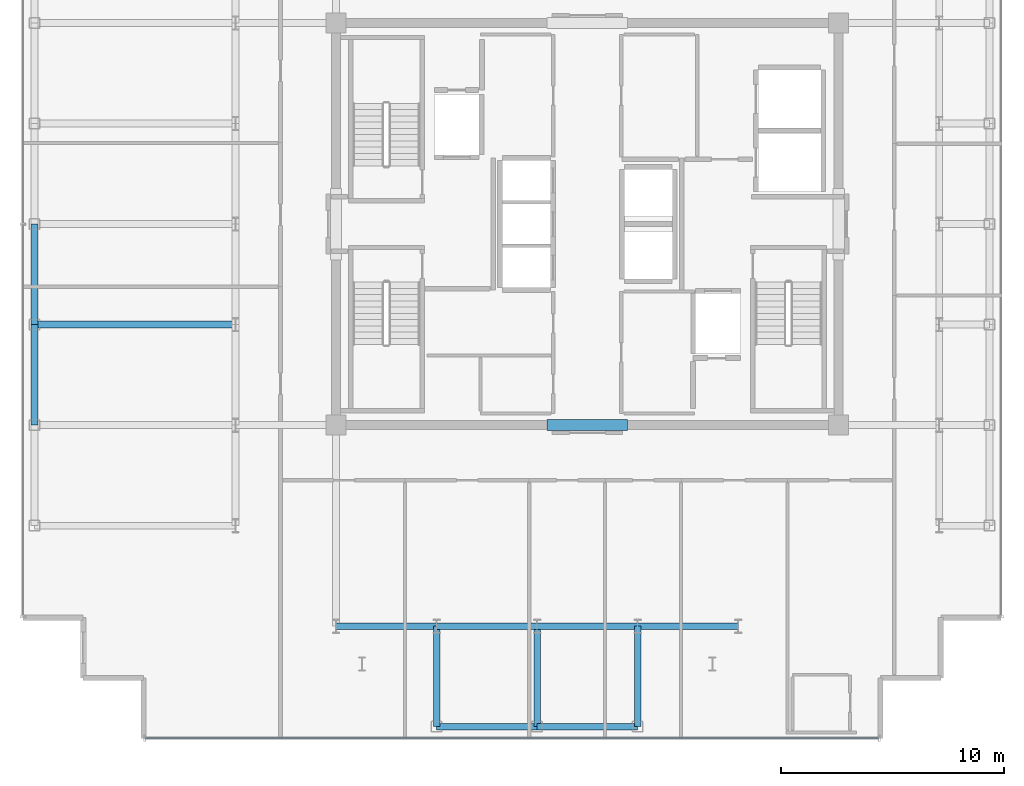
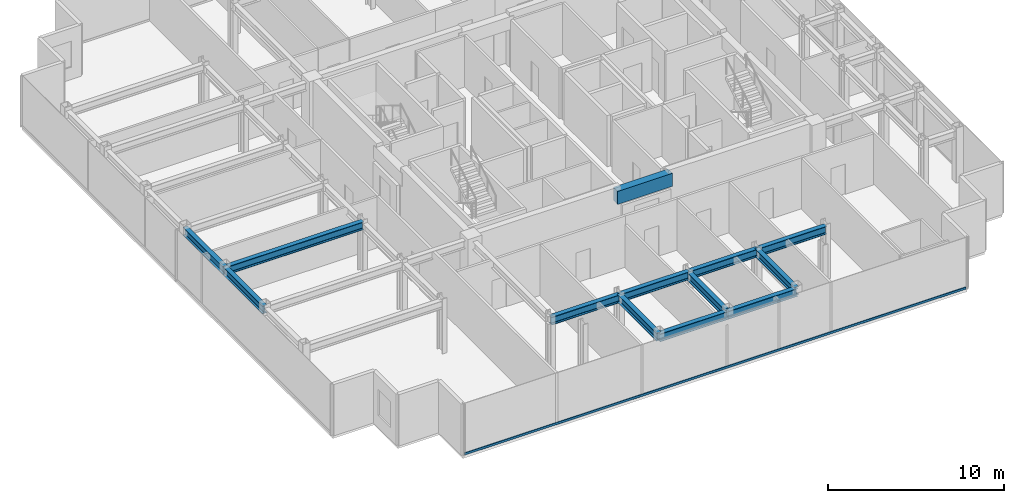
# One storey, part 3 of 17: 13 beams, 1 member, 1 element without a shape of its own.
"""IFC4 building model written with IfcOpenShell, lengths in metres."""

import ifcopenshell
import ifcopenshell.guid

model = None  # the IFC model being written
_history = None  # IfcOwnerHistory: only IFC2X3 demands one
_inside = {}  # id of a spatial element -> (the spatial element, [elements in it])
_under = {}  # id of a project, library or spatial element -> (it, [spatial elements below it])
_declared = {}  # id of a project -> (the project, [libraries it declares])
_typed = {}  # id of a type object -> (the type object, [elements of that type])
_made_of = {}  # id of a material, layer set ... -> (it, [elements and type objects made of it])


def new_model(schema):
    """Start an empty IFC model of exactly this schema.

    Asked for "IFC4X3", IfcOpenShell would pick the latest addendum, in which some entities
    have other attributes; the version numbers below select the first issue.
    IFC2X3 requires an IfcOwnerHistory on every rooted entity: one is made here for all.
    """
    global model, _history
    if schema == "IFC4X3":
        model = ifcopenshell.file(schema_version=(4, 3, 0, 0))
    else:
        model = ifcopenshell.file(schema=schema)
    _inside.clear()
    _under.clear()
    _declared.clear()
    _typed.clear()
    _made_of.clear()
    _history = None
    if model.schema == "IFC2X3":
        org = make("IfcOrganization", Name="unknown")
        user = make(
            "IfcPersonAndOrganization",
            ThePerson=make("IfcPerson", FamilyName="unknown"),
            TheOrganization=org,
        )
        app = make(
            "IfcApplication",
            ApplicationDeveloper=org,
            Version="unknown",
            ApplicationFullName="unknown",
            ApplicationIdentifier="unknown",
        )
        _history = make(
            "IfcOwnerHistory",
            OwningUser=user,
            OwningApplication=app,
            ChangeAction="ADDED",
            CreationDate=0,
        )
    return model


def make(cls, **values):
    """One entity of the class cls with the attributes given. An attribute that is None is left unset."""
    return model.create_entity(
        cls, **{name: value for name, value in values.items() if value is not None}
    )


def rooted(cls, **values):
    """An entity with a GlobalId (a new one), such as an element, a storey or a relation."""
    return make(cls, GlobalId=ifcopenshell.guid.new(), OwnerHistory=_history, **values)


def si_unit(unit_type, name, prefix=None):
    """IfcSIUnit, for example si_unit("LENGTHUNIT", "METRE", prefix="MILLI")."""
    return make("IfcSIUnit", UnitType=unit_type, Prefix=prefix, Name=name)


def assignment(units):
    """IfcUnitAssignment: the units of a project."""
    return None if units is None else make("IfcUnitAssignment", Units=units)


def point(xyz):
    """IfcCartesianPoint."""
    return None if xyz is None else make("IfcCartesianPoint", Coordinates=xyz)


def direction(xyz):
    """IfcDirection."""
    return None if xyz is None else make("IfcDirection", DirectionRatios=xyz)


def frame(location, z_axis=None, x_axis=None):
    """IfcAxis2Placement3D, a coordinate frame: its origin and axes. An axis left out is left unset."""
    return make(
        "IfcAxis2Placement3D",
        Location=point(location),
        Axis=direction(z_axis),
        RefDirection=direction(x_axis),
    )


def frame_2d(location, x_axis=None):
    """IfcAxis2Placement2D, a coordinate frame in the plane: its origin and x axis."""
    return make(
        "IfcAxis2Placement2D", Location=point(location), RefDirection=direction(x_axis)
    )


def origin():
    """The frame at (0, 0, 0) with its axes left unset."""
    return frame((0.0, 0.0, 0.0))


def origin_2d():
    """The frame at (0, 0) in the plane with its x axis left unset."""
    return frame_2d((0.0, 0.0))


def place(relative_to, where):
    """IfcLocalPlacement: puts the frame where relative to a parent placement (None: the world)."""
    return make(
        "IfcLocalPlacement", PlacementRelTo=relative_to, RelativePlacement=where
    )


def context(
    kind, dimensions, precision=None, world=None, true_north=None, identifier=None
):
    """IfcGeometricRepresentationContext, for example the 3D "Model" context."""
    return make(
        "IfcGeometricRepresentationContext",
        ContextIdentifier=identifier,
        ContextType=kind,
        CoordinateSpaceDimension=dimensions,
        Precision=precision,
        WorldCoordinateSystem=world,
        TrueNorth=true_north,
    )


def subcontext(parent, identifier, kind, view, scale=None):
    """IfcGeometricRepresentationSubContext, for example "Body" below "Model"."""
    return make(
        "IfcGeometricRepresentationSubContext",
        ContextIdentifier=identifier,
        ContextType=kind,
        ParentContext=parent,
        TargetScale=scale,
        TargetView=view,
    )


def project(units=None, contexts=None):
    """IfcProject with its units and contexts."""
    return rooted(
        "IfcProject",
        Name="project",
        RepresentationContexts=contexts,
        UnitsInContext=assignment(units),
    )


def spatial(cls, under=None, at=None, **own):
    """A site, building, storey or space (cls), placed at a placement, below another one or the project."""
    s = rooted(cls, ObjectPlacement=at, **own)
    if under is not None:
        _under.setdefault(under.id(), (under, []))[1].append(s)
    return s


def profile(cls, at=None, kind="AREA", **sizes):
    """A parametric profile (cls). Its sizes go by their IFC names, for example OverallWidth=200.0."""
    return make(cls, ProfileType=kind, Position=at, **sizes)


def rectangle(**sizes):
    """IfcRectangleProfileDef."""
    return profile("IfcRectangleProfileDef", **sizes)


def hollow_rectangle(**sizes):
    """IfcRectangleHollowProfileDef."""
    return profile("IfcRectangleHollowProfileDef", **sizes)


def i_section(**sizes):
    """IfcIShapeProfileDef."""
    return profile("IfcIShapeProfileDef", **sizes)


def extrude(swept, where, along, depth):
    """IfcExtrudedAreaSolid: the profile swept, set in the frame where, extruded along a direction by depth."""
    return make(
        "IfcExtrudedAreaSolid",
        SweptArea=swept,
        Position=where,
        ExtrudedDirection=direction(along),
        Depth=depth,
    )


def shape(context_of_items, identifier, shape_type, items):
    """IfcShapeRepresentation: the items that make up one representation, for example the "Body"."""
    return make(
        "IfcShapeRepresentation",
        ContextOfItems=context_of_items,
        RepresentationIdentifier=identifier,
        RepresentationType=shape_type,
        Items=items,
    )


def source(mapping_origin, context_of_items, identifier, shape_type, items):
    """IfcRepresentationMap: a shape defined once, which mapped items show again and again."""
    return make(
        "IfcRepresentationMap",
        MappingOrigin=mapping_origin,
        MappedRepresentation=shape(context_of_items, identifier, shape_type, items),
    )


def transform(
    local_origin,
    x_axis=None,
    y_axis=None,
    z_axis=None,
    scale=None,
    scale2=None,
    scale3=None,
    uniform=True,
):
    """IfcCartesianTransformationOperator3D, or its non-uniform kind. x_axis, y_axis, z_axis: its Axis1, 2, 3."""
    if uniform:
        return make(
            "IfcCartesianTransformationOperator3D",
            Axis1=direction(x_axis),
            Axis2=direction(y_axis),
            LocalOrigin=point(local_origin),
            Scale=scale,
            Axis3=direction(z_axis),
        )
    return make(
        "IfcCartesianTransformationOperator3DnonUniform",
        Axis1=direction(x_axis),
        Axis2=direction(y_axis),
        LocalOrigin=point(local_origin),
        Scale=scale,
        Axis3=direction(z_axis),
        Scale2=scale2,
        Scale3=scale3,
    )


def mapped(mapping_source, mapping_target):
    """IfcMappedItem: shows the shape of a source again, moved by a transform."""
    return make(
        "IfcMappedItem", MappingSource=mapping_source, MappingTarget=mapping_target
    )


def material(Name=None, Category=None):
    """IfcMaterial."""
    return make("IfcMaterial", Name=Name, Category=Category)


def layer(
    of_material, thickness, ventilated=None, Name=None, Category=None, Priority=None
):
    """IfcMaterialLayer: one layer of a wall or slab, of a material (None: an air gap)."""
    return make(
        "IfcMaterialLayer",
        Material=of_material,
        LayerThickness=thickness,
        IsVentilated=ventilated,
        Name=Name,
        Category=Category,
        Priority=Priority,
    )


def layer_set(layers, Name=None):
    """IfcMaterialLayerSet."""
    return make("IfcMaterialLayerSet", MaterialLayers=layers, LayerSetName=Name)


def material_profile(
    of_material, cross_section, Name=None, Category=None, Priority=None
):
    """IfcMaterialProfile: a cross section and its material."""
    return make(
        "IfcMaterialProfile",
        Name=Name,
        Material=of_material,
        Profile=cross_section,
        Priority=Priority,
        Category=Category,
    )


def profile_set(profiles, Name=None, composite=None):
    """IfcMaterialProfileSet."""
    return make(
        "IfcMaterialProfileSet",
        Name=Name,
        MaterialProfiles=profiles,
        CompositeProfile=composite,
    )


def made_of(thing, what):
    """Note that an element or type object is made of a material, layer set ...; save() writes the relation."""
    if what is not None:
        _made_of.setdefault(what.id(), (what, []))[1].append(thing)
    return thing


def type_object(cls, material=None, **own):
    """A type object (cls), such as IfcWallType, which elements share."""
    return made_of(rooted(cls, **own), material)


def element(
    cls,
    number,
    at=None,
    inside=None,
    cuts=None,
    type_object=None,
    material=None,
    context=None,
    identifier="Body",
    shape_type=None,
    held_by="IfcProductDefinitionShape",
    body=None,
    shapes=None,
    **own,
):
    """One element of the class cls, such as IfcWall. Its Tag is "e" and its number.

    at: its placement. inside: the storey or other place that contains it. cuts: it is an
    opening in that element (IfcRelVoidsElement). A single representation is given by context,
    identifier, shape_type and body (its items); several are given by shapes. held_by: the class
    of the entity that holds the representations. save() writes the other relations.
    """
    e = rooted(cls, Tag="e%d" % number, ObjectPlacement=at, **own)
    if body is not None:
        shapes = [shape(context, identifier, shape_type, body)]
    if shapes is not None:
        e.Representation = make(held_by, Representations=shapes)
    if inside is not None:
        _inside.setdefault(inside.id(), (inside, []))[1].append(e)
    if cuts is not None:
        rooted(
            "IfcRelVoidsElement", RelatingBuildingElement=cuts, RelatedOpeningElement=e
        )
    if type_object is not None:
        _typed.setdefault(type_object.id(), (type_object, []))[1].append(e)
    return made_of(e, material)


def aggregate(whole, parts):
    """IfcRelAggregates: a whole, such as a stair, and the parts it consists of."""
    return rooted("IfcRelAggregates", RelatingObject=whole, RelatedObjects=parts)


def save(model, path):
    """Write the relations noted so far, then the file.

    IfcRelAggregates (storeys below a building ...), IfcRelContainedInSpatialStructure (elements
    in a storey), IfcRelDefinesByType, IfcRelAssociatesMaterial and IfcRelDeclares: one each for
    every whole, place, type object, material and project.
    """
    for whole, parts in _under.values():
        aggregate(whole, parts)
    for where, things in _inside.values():
        rooted(
            "IfcRelContainedInSpatialStructure",
            RelatedElements=things,
            RelatingStructure=where,
        )
    for kind, things in _typed.values():
        rooted("IfcRelDefinesByType", RelatedObjects=things, RelatingType=kind)
    for what, things in _made_of.values():
        rooted("IfcRelAssociatesMaterial", RelatedObjects=things, RelatingMaterial=what)
    for by, libraries in _declared.values():
        rooted("IfcRelDeclares", RelatingContext=by, RelatedDefinitions=libraries)
    model.write(path)


model = new_model("IFC4")

# Units and contexts
model_context = context("Model", 3, precision=1e-05, world=origin(), true_north=direction((0.0, 1.0)))
body_context = subcontext(model_context, "Body", "Model", "MODEL_VIEW")
ifc_project = project(units=[si_unit("LENGTHUNIT", "METRE"), si_unit("AREAUNIT", "SQUARE_METRE"), si_unit("VOLUMEUNIT", "CUBIC_METRE"), si_unit("PLANEANGLEUNIT", "RADIAN"), si_unit("MASSUNIT", "GRAM", prefix="KILO")], contexts=[model_context])

# Site, building, storey
site_placement = place(None, origin())
site = spatial("IfcSite", under=ifc_project, at=site_placement, CompositionType="ELEMENT")
building_placement = place(site_placement, origin())
building = spatial("IfcBuilding", under=site, at=building_placement, Name="Nefas-Gora Pilgrimage Tower", CompositionType="ELEMENT")
storey_placement = place(building_placement, frame((0.0, 0.0, 337.60009765625)))
storey = spatial("IfcBuildingStorey", under=building, at=storey_placement, Name="L85", CompositionType="ELEMENT", Elevation=337.60009765625)

# Beams
ifc_material_1 = material(Name="Concrete C50/60", Category="concrete")
ifc_material_profile_1 = material_profile(ifc_material_1, rectangle(XDim=0.5, YDim=0.89990234375, at=origin_2d()), Name="RC 500x900")
ifc_profile_set_1 = profile_set([ifc_material_profile_1], Name="Concrete C50/60")
beam_type_1 = type_object("IfcBeamType", Name="BM-LIN-RC900", PredefinedType="LINTEL", material=ifc_profile_set_1)
shared_shape_1 = source(origin(), body_context, "Body", "SweptSolid", [
    extrude(rectangle(XDim=0.5, YDim=0.89990234375, at=origin_2d()), origin(), (0.0, 0.0, 1.0), 3.60009765625),
])
beam_1_placement = place(storey_placement, frame((-1.800048828125, -9.0, 3.099853515625), z_axis=(1.0, 0.0, 0.0), x_axis=(0.0, 1.0, 0.0)))
element("IfcBeam", 1, at=beam_1_placement, inside=storey, type_object=beam_type_1, Name="L85 Core Coupling Lintel Beam S", PredefinedType="LINTEL", context=body_context, shape_type="MappedRepresentation", body=[
    mapped(shared_shape_1, transform((0.0, 0.0, 0.0), x_axis=(1.0, 0.0, 0.0), y_axis=(0.0, 1.0, 0.0), z_axis=(0.0, 0.0, 1.0), scale=1.0)),
])
ifc_material_2 = material(Name="Steel S355", Category="steel")
ifc_material_profile_2 = material_profile(ifc_material_2, i_section(OverallWidth=0.300048828125, OverallDepth=0.550048828125, WebThickness=0.014892578125, FlangeThickness=0.029052734375, FilletRadius=0.027099609375, at=origin_2d()), Name="HEB 550")
ifc_profile_set_2 = profile_set([ifc_material_profile_2], Name="Steel S355")
beam_type_2 = type_object("IfcBeamType", Name="BM-SPN-HEB400", PredefinedType="SPANDREL", material=ifc_profile_set_2)
shared_shape_2 = source(origin(), body_context, "Body", "SweptSolid", [
    extrude(i_section(OverallWidth=0.300048828125, OverallDepth=0.550048828125, WebThickness=0.014892578125, FlangeThickness=0.029052734375, FilletRadius=0.027099609375, at=origin_2d()), origin(), (0.0, 0.0, 1.0), 4.5),
])
for number, where, z_axis, x_axis, name in (
    (2, (-24.75, -9.0, 3.27490234375), (0.0, 1.0, 0.0), (-1.0, 0.0, 0.0), "L85 SP-04 beam"),
    (3, (-24.75, -4.5, 3.27490234375), (0.0, 1.0, 0.0), (-1.0, 0.0, 0.0), "L85 SP-04 beam"),
    (4, (-6.75, -22.5, 3.27490234375), (1.0, 0.0, 0.0), (0.0, 1.0, 0.0), "L85 SP-04 beam"),
    (5, (-2.25, -22.5, 3.27490234375), (1.0, 0.0, 0.0), (0.0, 1.0, 0.0), "L85 SP-04 beam"),
):
    element("IfcBeam", number, at=place(storey_placement, frame(where, z_axis=z_axis, x_axis=x_axis)), inside=storey, type_object=beam_type_2, Name=name, PredefinedType="SPANDREL", context=body_context, shape_type="MappedRepresentation", body=[
        mapped(shared_shape_2, transform((0.0, 0.0, 0.0), x_axis=(1.0, 0.0, 0.0), y_axis=(0.0, 1.0, 0.0), z_axis=(0.0, 0.0, 1.0), scale=1.0)),
    ])
ifc_material_profile_3 = material_profile(ifc_material_2, i_section(OverallWidth=0.300048828125, OverallDepth=0.550048828125, WebThickness=0.014892578125, FlangeThickness=0.029052734375, FilletRadius=0.027099609375, at=origin_2d()), Name="HEB 550")
ifc_profile_set_3 = profile_set([ifc_material_profile_3], Name="Steel S355")
beam_type_3 = type_object("IfcBeamType", Name="BM-GIR-HEB550", PredefinedType="BEAM", material=ifc_profile_set_3)
shared_shape_3 = source(origin(), body_context, "Body", "SweptSolid", [
    extrude(i_section(OverallWidth=0.300048828125, OverallDepth=0.550048828125, WebThickness=0.014892578125, FlangeThickness=0.029052734375, FilletRadius=0.027099609375, at=origin_2d()), origin(), (0.0, 0.0, 1.0), 9.0),
])
beam_2_placement = place(storey_placement, frame((-24.75, -4.5, 3.27490234375), z_axis=(1.0, 0.0, 0.0), x_axis=(0.0, 1.0, 0.0)))
element("IfcBeam", 6, at=beam_2_placement, inside=storey, type_object=beam_type_3, Name="L85 G-05 beam", PredefinedType="BEAM", context=body_context, shape_type="MappedRepresentation", body=[
    mapped(shared_shape_3, transform((0.0, 0.0, 0.0), x_axis=(1.0, 0.0, 0.0), y_axis=(0.0, 1.0, 0.0), z_axis=(0.0, 0.0, 1.0), scale=1.0)),
])
shared_shape_4 = source(origin(), body_context, "Body", "SweptSolid", [
    extrude(i_section(OverallWidth=0.300048828125, OverallDepth=0.550048828125, WebThickness=0.014892578125, FlangeThickness=0.029052734375, FilletRadius=0.027099609375, at=origin_2d()), origin(), (0.0, 0.0, 1.0), 4.5),
])
for number, where, z_axis, x_axis, name in (
    (7, (-11.25, -18.0, 3.27490234375), (1.0, 0.0, 0.0), (0.0, 1.0, 0.0), "L85 G-05 beam"),
    (8, (-6.75, -22.5, 3.27490234375), (0.0, 1.0, 0.0), (-1.0, 0.0, 0.0), "L85 G-05 beam"),
    (9, (-6.75, -18.0, 3.27490234375), (1.0, 0.0, 0.0), (0.0, 1.0, 0.0), "L85 G-05 beam"),
    (10, (-2.25, -22.5, 3.27490234375), (0.0, 1.0, 0.0), (-1.0, 0.0, 0.0), "L85 G-05 beam"),
    (11, (-2.25, -18.0, 3.27490234375), (1.0, 0.0, 0.0), (0.0, 1.0, 0.0), "L85 G-05 beam"),
    (12, (2.25, -22.5, 3.27490234375), (0.0, 1.0, 0.0), (-1.0, 0.0, 0.0), "L85 G-05 beam"),
    (13, (2.25, -18.0, 3.27490234375), (1.0, 0.0, 0.0), (0.0, 1.0, 0.0), "L85 G-05 beam"),
):
    element("IfcBeam", number, at=place(storey_placement, frame(where, z_axis=z_axis, x_axis=x_axis)), inside=storey, type_object=beam_type_3, Name=name, PredefinedType="BEAM", context=body_context, shape_type="MappedRepresentation", body=[
        mapped(shared_shape_4, transform((0.0, 0.0, 0.0), x_axis=(1.0, 0.0, 0.0), y_axis=(0.0, 1.0, 0.0), z_axis=(0.0, 0.0, 1.0), scale=1.0)),
    ])

# Curtain wall, member
ifc_material_3 = material(Name="Dark ceramic-fritted solar-control aluminium-glass curtain wall", Category="aluminium")
ifc_layer = layer(ifc_material_3, 0.219970703125)
ifc_layer_set = layer_set([ifc_layer], Name="Dark ceramic-fritted solar-control aluminium-glass curtain wall")
curtain_wall_type = type_object("IfcCurtainWallType", Name="CW-SYS-4", PredefinedType="NOTDEFINED", material=ifc_layer_set)
curtain_wall_placement = place(storey_placement, origin())
curtain_wall = element("IfcCurtainWall", 14, at=curtain_wall_placement, inside=storey, type_object=curtain_wall_type, Name="L85 Unitised Curtain Wall CW4", PredefinedType="NOTDEFINED")
ifc_material_4 = material(Name="Anodised architectural aluminium", Category="aluminium")
ifc_material_profile_4 = material_profile(ifc_material_4, hollow_rectangle(XDim=0.080078125, YDim=0.159912109375, WallThickness=0.00439453125, InnerFilletRadius=0.00439453125, OuterFilletRadius=0.009033203125, at=origin_2d()), Name="ALU TRANSOM 80x160")
ifc_profile_set_4 = profile_set([ifc_material_profile_4], Name="Anodised architectural aluminium")
member_type = type_object("IfcMemberType", Name="CWM-TRN-4", PredefinedType="USERDEFINED", material=ifc_profile_set_4)
shared_shape_5 = source(origin(), body_context, "Body", "SweptSolid", [
    extrude(hollow_rectangle(XDim=0.080078125, YDim=0.159912109375, WallThickness=0.00439453125, InnerFilletRadius=0.00439453125, OuterFilletRadius=0.009033203125, at=origin_2d()), origin(), (0.0, 0.0, 1.0), 32.81005859375),
])
member_placement = place(storey_placement, frame((-19.780029296875, -23.02001953125, 0.0498046875), z_axis=(1.0, 0.0, 0.0), x_axis=(0.0, 1.0, 0.0)))
member = element("IfcMember", 15, at=member_placement, type_object=member_type, Name="CW4 Spandrel Transom", ObjectType="TRANSOM", PredefinedType="USERDEFINED", context=body_context, shape_type="MappedRepresentation", body=[
    mapped(shared_shape_5, transform((0.0, 0.0, 0.0), x_axis=(1.0, 0.0, 0.0), y_axis=(0.0, 1.0, 0.0), z_axis=(0.0, 0.0, 1.0), scale=1.0)),
])
aggregate(curtain_wall, [member])

save(model, "model.ifc")
